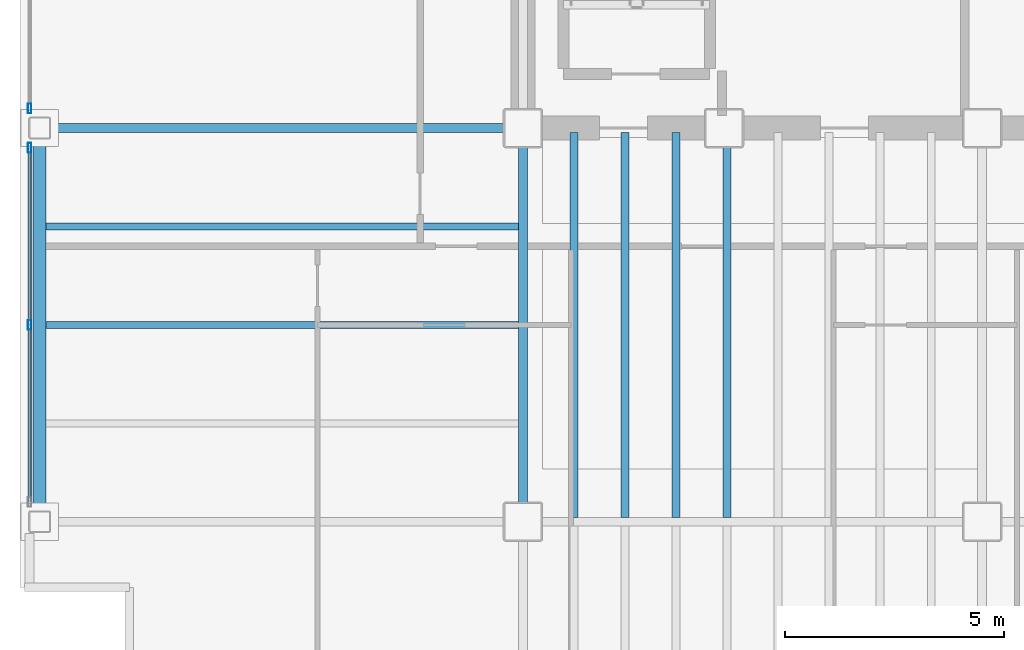
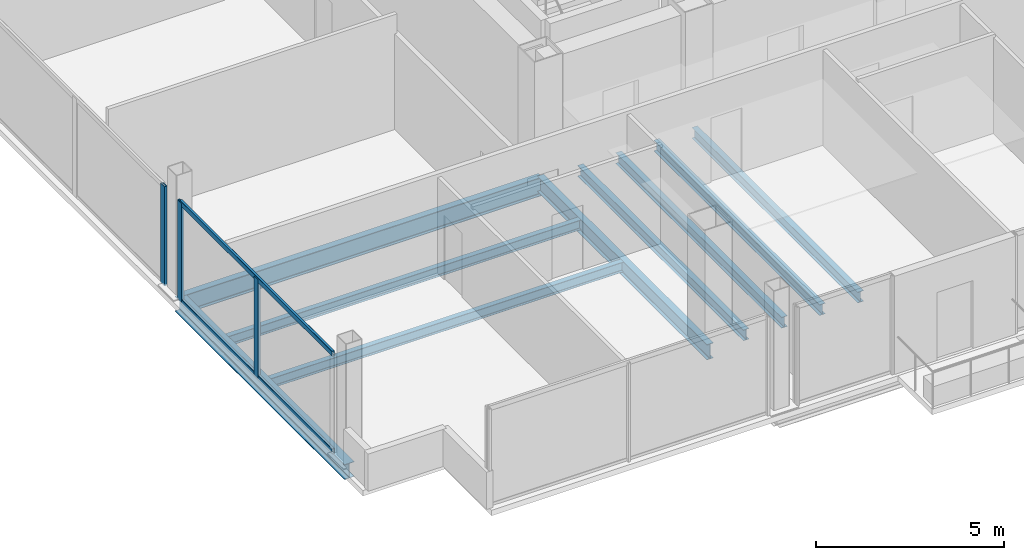
# One storey, part 3 of 19: 9 beams, 5 members, 2 elements without a shape of their own.
"""IFC4 building model written with IfcOpenShell, lengths in metres."""

from ifc_helpers import new_model, si_unit, direction, frame, origin, origin_2d, place, context, subcontext, project, spatial, hollow_rectangle, i_section, extrude, material, material_profile, profile_set, type_object, element, aggregate, save


model = new_model("IFC4")

# Units and contexts
model_context = context("Model", 3, precision=1e-05, world=origin(), true_north=direction((0.0, 1.0)))
body_context = subcontext(model_context, "Body", "Model", "MODEL_VIEW")
ifc_project = project(units=[si_unit("LENGTHUNIT", "METRE"), si_unit("AREAUNIT", "SQUARE_METRE"), si_unit("VOLUMEUNIT", "CUBIC_METRE"), si_unit("PLANEANGLEUNIT", "RADIAN"), si_unit("MASSUNIT", "GRAM", prefix="KILO")], contexts=[model_context])

# Site, building, storey
site_placement = place(None, origin())
site = spatial("IfcSite", under=ifc_project, at=site_placement, CompositionType="ELEMENT")
building_placement = place(site_placement, origin())
building = spatial("IfcBuilding", under=site, at=building_placement, Name="Noeulbin Bourse Tower", CompositionType="ELEMENT")
storey_placement = place(building_placement, frame((0.0, 0.0, 157.800048828125)))
storey = spatial("IfcBuildingStorey", under=building, at=storey_placement, Name="L39", CompositionType="ELEMENT", Elevation=157.800048828125)

# Beams
ifc_material_1 = material(Name="Steel S355", Category="steel")
ifc_material_profile_1 = material_profile(ifc_material_1, i_section(OverallWidth=0.199951171875, OverallDepth=0.5, WebThickness=0.010009765625, FlangeThickness=0.01611328125, FilletRadius=0.02001953125, at=origin_2d()), Name="H-500x200x10x16", Category="LoadBearing")
ifc_profile_set_1 = profile_set([ifc_material_profile_1], Name="Steel S355")
beam_type_1 = type_object("IfcBeamType", Name="BM-GRD-500", PredefinedType="USERDEFINED", material=ifc_profile_set_1)
beam_1_placement = place(storey_placement, frame((13.5, 20.0, -0.429931640625), z_axis=(0.0, 1.0, 0.0), x_axis=(-1.0, 0.0, 0.0)))
element("IfcBeam", 1, at=beam_1_placement, inside=storey, type_object=beam_type_1, Name="Tower Primary Girder NS L39-1.2", ObjectType="GIRDER", PredefinedType="USERDEFINED", context=body_context, shape_type="SweptSolid", body=[
    extrude(i_section(OverallWidth=0.199951171875, OverallDepth=0.5, WebThickness=0.010009765625, FlangeThickness=0.01611328125, FilletRadius=0.02001953125, at=origin_2d()), origin(), (0.0, 0.0, 1.0), 9.0),
])
ifc_material_profile_2 = material_profile(ifc_material_1, i_section(OverallWidth=0.199951171875, OverallDepth=0.60009765625, WebThickness=0.010986328125, FlangeThickness=0.01708984375, FilletRadius=0.02197265625, at=origin_2d()), Name="H-600x200x11x17", Category="LoadBearing")
ifc_profile_set_2 = profile_set([ifc_material_profile_2], Name="Steel S355")
beam_type_2 = type_object("IfcBeamType", Name="BM-GRD-600", PredefinedType="USERDEFINED", material=ifc_profile_set_2)
beam_2_placement = place(storey_placement, frame((2.449951171875, 29.0, -0.47998046875), z_axis=(1.0, 0.0, 0.0), x_axis=(0.0, 1.0, 0.0)))
element("IfcBeam", 2, at=beam_2_placement, inside=storey, type_object=beam_type_2, Name="Tower Primary Girder EW L39-2.1", ObjectType="GIRDER", PredefinedType="USERDEFINED", context=body_context, shape_type="SweptSolid", body=[
    extrude(i_section(OverallWidth=0.199951171875, OverallDepth=0.60009765625, WebThickness=0.010986328125, FlangeThickness=0.01708984375, FilletRadius=0.02197265625, at=origin_2d()), origin(), (0.0, 0.0, 1.0), 11.050048828125),
])
ifc_material_profile_3 = material_profile(ifc_material_1, i_section(OverallWidth=0.159912109375, OverallDepth=0.320068359375, WebThickness=0.006591796875, FlangeThickness=0.010009765625, FilletRadius=0.012939453125, at=origin_2d()), Name="H-320x160x6.5x10", Category="LoadBearing")
ifc_profile_set_3 = profile_set([ifc_material_profile_3], Name="Steel S355")
beam_type_3 = type_object("IfcBeamType", Name="BM-JST-320", PredefinedType="JOIST", material=ifc_profile_set_3)
for number, where, z_axis, x_axis, name in (
    (3, (2.60009765625, 24.5, -0.340087890625), (1.0, 0.0, 0.0), (0.0, 1.0, 0.0), "Wing Composite Joist L39-W71"),
    (4, (2.60009765625, 26.75, -0.340087890625), (1.0, 0.0, 0.0), (0.0, 1.0, 0.0), "Wing Composite Joist L39-W72"),
):
    element("IfcBeam", number, at=place(storey_placement, frame(where, z_axis=z_axis, x_axis=x_axis)), inside=storey, type_object=beam_type_3, Name=name, PredefinedType="JOIST", context=body_context, shape_type="SweptSolid", body=[
        extrude(i_section(OverallWidth=0.159912109375, OverallDepth=0.320068359375, WebThickness=0.006591796875, FlangeThickness=0.010009765625, FilletRadius=0.012939453125, at=origin_2d()), origin(), (0.0, 0.0, 1.0), 10.7998046875),
    ])
ifc_material_profile_4 = material_profile(ifc_material_1, i_section(OverallWidth=0.175048828125, OverallDepth=0.35009765625, WebThickness=0.007080078125, FlangeThickness=0.010986328125, FilletRadius=0.013916015625, at=origin_2d()), Name="H-350x175x7x11", Category="LoadBearing")
ifc_profile_set_4 = profile_set([ifc_material_profile_4], Name="Steel S355")
beam_type_4 = type_object("IfcBeamType", Name="BM-JST-350", PredefinedType="JOIST", material=ifc_profile_set_4)
for number, where, z_axis, x_axis, name in (
    (5, (14.666748046875, 20.10009765625, -0.35498046875), (0.0, 1.0, 0.0), (-1.0, 0.0, 0.0), "Tower Composite Joist L39-02"),
    (6, (15.833251953125, 20.10009765625, -0.35498046875), (0.0, 1.0, 0.0), (-1.0, 0.0, 0.0), "Tower Composite Joist L39-05"),
    (7, (17.0, 20.10009765625, -0.35498046875), (0.0, 1.0, 0.0), (-1.0, 0.0, 0.0), "Tower Composite Joist L39-08"),
    (8, (18.166748046875, 20.10009765625, -0.35498046875), (0.0, 1.0, 0.0), (-1.0, 0.0, 0.0), "Tower Composite Joist L39-11"),
):
    element("IfcBeam", number, at=place(storey_placement, frame(where, z_axis=z_axis, x_axis=x_axis)), inside=storey, type_object=beam_type_4, Name=name, PredefinedType="JOIST", context=body_context, shape_type="SweptSolid", body=[
        extrude(i_section(OverallWidth=0.175048828125, OverallDepth=0.35009765625, WebThickness=0.007080078125, FlangeThickness=0.010986328125, FilletRadius=0.013916015625, at=origin_2d()), origin(), (0.0, 0.0, 1.0), 8.7998046875),
    ])
ifc_material_profile_5 = material_profile(ifc_material_1, i_section(OverallWidth=0.300048828125, OverallDepth=0.488037109375, WebThickness=0.010986328125, FlangeThickness=0.01806640625, FilletRadius=0.02197265625, at=origin_2d()), Name="H-488x300x11x18", Category="LoadBearing")
ifc_profile_set_5 = profile_set([ifc_material_profile_5], Name="Steel S355")
beam_type_5 = type_object("IfcBeamType", Name="BM-SPN-488", PredefinedType="SPANDREL", material=ifc_profile_set_5)
beam_3_placement = place(storey_placement, frame((2.449951171875, 20.0, -0.424072265625), z_axis=(0.0, 1.0, 0.0), x_axis=(-1.0, 0.0, 0.0)))
element("IfcBeam", 9, at=beam_3_placement, inside=storey, type_object=beam_type_5, Name="West Spandrel L39-1", PredefinedType="SPANDREL", context=body_context, shape_type="SweptSolid", body=[
    extrude(i_section(OverallWidth=0.300048828125, OverallDepth=0.488037109375, WebThickness=0.010986328125, FlangeThickness=0.01806640625, FilletRadius=0.02197265625, at=origin_2d()), origin(), (0.0, 0.0, 1.0), 9.0),
])

# Curtain wall, members
ifc_material_2 = material(Name="Dark Tinted Triple Glazing", Category="glass")
curtain_wall_type = type_object("IfcCurtainWallType", Name="CW-SYS-3", PredefinedType="NOTDEFINED", material=ifc_material_2)
curtain_wall_1_placement = place(storey_placement, origin())
curtain_wall_1 = element("IfcCurtainWall", 10, at=curtain_wall_1_placement, inside=storey, type_object=curtain_wall_type, Name="Unitised Curtain Wall CW-L39-W-S1", PredefinedType="NOTDEFINED")
ifc_material_3 = material(Name="Anodised Aluminium 6063-T6", Category="aluminium")
ifc_material_profile_6 = material_profile(ifc_material_3, hollow_rectangle(XDim=0.074951171875, YDim=0.219970703125, WallThickness=0.0048828125, InnerFilletRadius=0.00244140625, OuterFilletRadius=0.0048828125, at=origin_2d()), Name="ALU-MULL-75x220x5", Category="LoadBearing")
ifc_profile_set_6 = profile_set([ifc_material_profile_6], Name="Anodised Aluminium 6063-T6")
member_type_1 = type_object("IfcMemberType", Name="CW-SYS-3-MUL", PredefinedType="MULLION", material=ifc_profile_set_6)
member_1_placement = place(storey_placement, frame((2.219970703125, 24.5, -0.02001953125), z_axis=(0.0, 0.0, 1.0), x_axis=(1.0, 0.0, 0.0)))
member_1 = element("IfcMember", 11, at=member_1_placement, type_object=member_type_1, Name="Curtain Wall Mullion CW-L39-W-S1-M01", PredefinedType="MULLION", context=body_context, shape_type="SweptSolid", body=[
    extrude(hollow_rectangle(XDim=0.074951171875, YDim=0.219970703125, WallThickness=0.0048828125, InnerFilletRadius=0.00244140625, OuterFilletRadius=0.0048828125, at=origin_2d()), origin(), (0.0, 0.0, 1.0), 3.219970703125),
])
member_2_placement = place(storey_placement, frame((2.219970703125, 28.550048828125, -0.02001953125), z_axis=(0.0, 0.0, 1.0), x_axis=(1.0, 0.0, 0.0)))
member_2 = element("IfcMember", 12, at=member_2_placement, type_object=member_type_1, Name="Curtain Wall Mullion CW-L39-W-S1-M02", PredefinedType="MULLION", context=body_context, shape_type="SweptSolid", body=[
    extrude(hollow_rectangle(XDim=0.074951171875, YDim=0.219970703125, WallThickness=0.0048828125, InnerFilletRadius=0.00244140625, OuterFilletRadius=0.0048828125, at=origin_2d()), origin(), (0.0, 0.0, 1.0), 3.219970703125),
])

# Curtain wall, member
curtain_wall_2_placement = place(storey_placement, origin())
curtain_wall_2 = element("IfcCurtainWall", 13, at=curtain_wall_2_placement, inside=storey, type_object=curtain_wall_type, Name="Unitised Curtain Wall CW-L39-W-S2", PredefinedType="NOTDEFINED")
member_3_placement = place(storey_placement, frame((2.219970703125, 29.449951171875, -0.02001953125), z_axis=(0.0, 0.0, 1.0), x_axis=(1.0, 0.0, 0.0)))
member_3 = element("IfcMember", 14, at=member_3_placement, type_object=member_type_1, Name="Curtain Wall Mullion CW-L39-W-S2-M00", PredefinedType="MULLION", context=body_context, shape_type="SweptSolid", body=[
    extrude(hollow_rectangle(XDim=0.074951171875, YDim=0.219970703125, WallThickness=0.0048828125, InnerFilletRadius=0.00244140625, OuterFilletRadius=0.0048828125, at=origin_2d()), origin(), (0.0, 0.0, 1.0), 3.219970703125),
])
aggregate(curtain_wall_2, [member_3])

# Member
ifc_material_profile_7 = material_profile(ifc_material_3, hollow_rectangle(XDim=0.074951171875, YDim=0.159912109375, WallThickness=0.0048828125, InnerFilletRadius=0.00244140625, OuterFilletRadius=0.0048828125, at=origin_2d()), Name="ALU-TRAN-75x160x5", Category="LoadBearing")
ifc_profile_set_7 = profile_set([ifc_material_profile_7], Name="Anodised Aluminium 6063-T6")
member_type_2 = type_object("IfcMemberType", Name="CW-SYS-3-TRN", PredefinedType="USERDEFINED", material=ifc_profile_set_7)
member_4_placement = place(storey_placement, frame((2.219970703125, 20.4599609375, 0.010009765625), z_axis=(0.0, 1.0, 0.0), x_axis=(-1.0, 0.0, 0.0)))
member_4 = element("IfcMember", 15, at=member_4_placement, type_object=member_type_2, Name="Curtain Wall Transom CW-L39-W-S1-T00", ObjectType="TRANSOM", PredefinedType="USERDEFINED", context=body_context, shape_type="SweptSolid", body=[
    extrude(hollow_rectangle(XDim=0.074951171875, YDim=0.159912109375, WallThickness=0.0048828125, InnerFilletRadius=0.00244140625, OuterFilletRadius=0.0048828125, at=origin_2d()), origin(), (0.0, 0.0, 1.0), 8.080078125),
])

member_5_placement = place(storey_placement, frame((2.219970703125, 20.4599609375, 3.169921875), z_axis=(0.0, 1.0, 0.0), x_axis=(-1.0, 0.0, 0.0)))
member_5 = element("IfcMember", 16, at=member_5_placement, type_object=member_type_2, Name="Curtain Wall Transom CW-L39-W-S1-T01", ObjectType="TRANSOM", PredefinedType="USERDEFINED", context=body_context, shape_type="SweptSolid", body=[
    extrude(hollow_rectangle(XDim=0.074951171875, YDim=0.159912109375, WallThickness=0.0048828125, InnerFilletRadius=0.00244140625, OuterFilletRadius=0.0048828125, at=origin_2d()), origin(), (0.0, 0.0, 1.0), 8.080078125),
])

aggregate(curtain_wall_1, [member_1, member_2, member_4, member_5])

save(model, "model.ifc")
